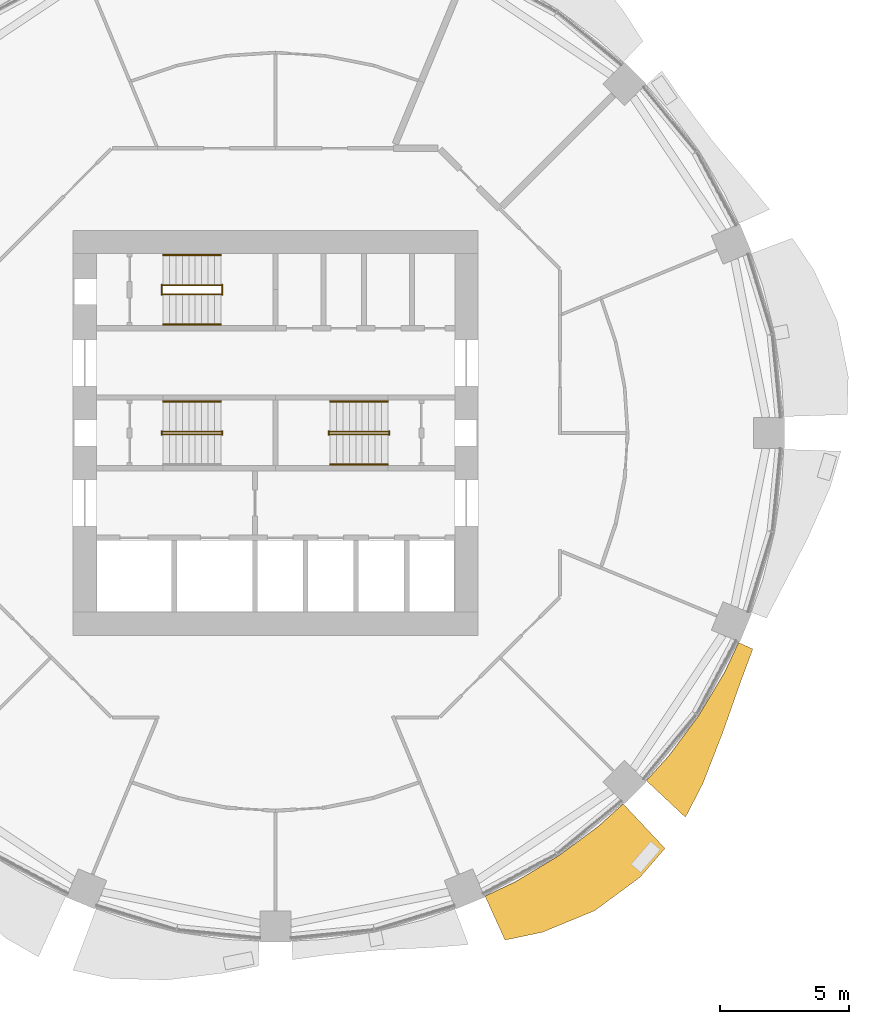
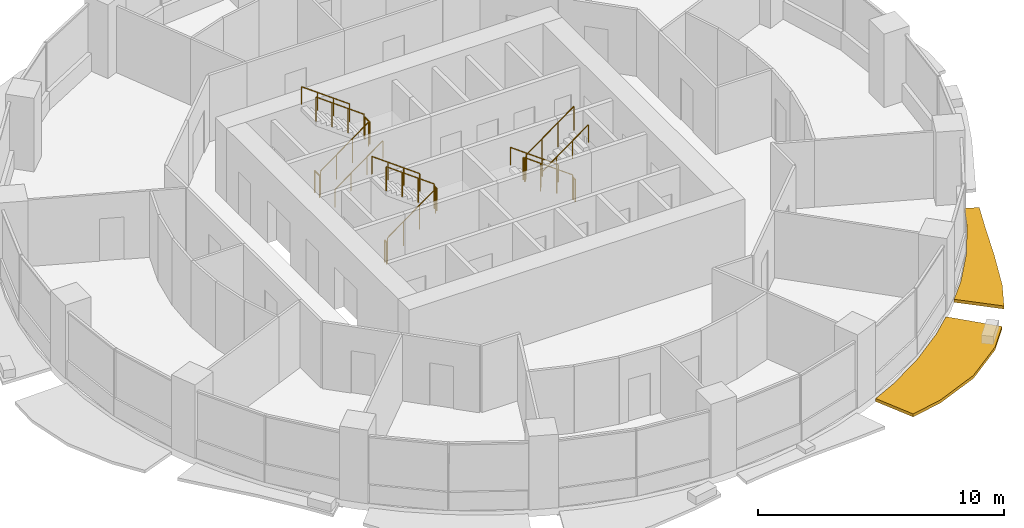
# One storey, part 13 of 15: 17 railings, 2 shading devices.
"""IFC4 building model written with IfcOpenShell, lengths in metres."""

from ifc_helpers import new_model, si_unit, direction, frame, origin, origin_2d, place, context, subcontext, project, spatial, polyline, circle, outline, extrude, material, type_object, element, save


model = new_model("IFC4")

# Units and contexts
model_context = context("Model", 3, precision=1e-05, world=origin(), true_north=direction((0.0, 1.0)))
body_context = subcontext(model_context, "Body", "Model", "MODEL_VIEW")
ifc_project = project(units=[si_unit("LENGTHUNIT", "METRE"), si_unit("AREAUNIT", "SQUARE_METRE"), si_unit("VOLUMEUNIT", "CUBIC_METRE"), si_unit("PLANEANGLEUNIT", "RADIAN"), si_unit("MASSUNIT", "GRAM", prefix="KILO")], contexts=[model_context])

# Site, building, storey
site_placement = place(None, origin())
site = spatial("IfcSite", under=ifc_project, at=site_placement, CompositionType="ELEMENT")
building_placement = place(site_placement, origin())
building = spatial("IfcBuilding", under=site, at=building_placement, Name="Polderwave Tower", CompositionType="ELEMENT")
storey_placement = place(building_placement, frame((0.0, 0.0, 33.5)))
storey = spatial("IfcBuildingStorey", under=building, at=storey_placement, Name="L08", CompositionType="ELEMENT", Elevation=33.5)

# Railings
ifc_material_1 = material(Name="Stainless steel", Category="steel")
railing_type_1 = type_object("IfcRailingType", Name="Stair guard 1100", PredefinedType="GUARDRAIL", material=ifc_material_1)
railing_1_placement = place(storey_placement, frame((-4.3740234375, -0.051025390625, 0.0625)))
element("IfcRailing", 1, at=railing_1_placement, inside=storey, type_object=railing_type_1, Name="L08 ST-A stair guard 1", PredefinedType="GUARDRAIL", context=body_context, shape_type="SweptSolid", body=[
    extrude(circle(Radius=0.02392578125, at=origin_2d()), frame((0.0, 0.0, 1.1962890625), z_axis=(0.807715371301, 0.0, 0.589572623995), x_axis=(0.0, 1.0, 0.0)), (0.0, 0.0, 1.0), 2.78564453125),
    extrude(circle(Radius=0.02392578125, at=origin_2d()), origin(), (0.0, 0.0, 1.0), 1.172119140625),
    extrude(circle(Radius=0.02392578125, at=origin_2d()), frame((0.75, 0.0, 0.54736328125)), (0.0, 0.0, 1.0), 1.172119140625),
    extrude(circle(Radius=0.02392578125, at=origin_2d()), frame((1.5, 0.0, 1.094970703125)), (0.0, 0.0, 1.0), 1.172119140625),
    extrude(circle(Radius=0.02392578125, at=origin_2d()), frame((2.25, 0.0, 1.642333984375)), (0.0, 0.0, 1.0), 1.172119140625),
])
railing_2_placement = place(storey_placement, frame((-2.073974609375, -0.074951171875, 1.824951171875)))
element("IfcRailing", 2, at=railing_2_placement, inside=storey, type_object=railing_type_1, Name="L08 ST-A stair guard 2", PredefinedType="GUARDRAIL", context=body_context, shape_type="SweptSolid", body=[
    extrude(circle(Radius=0.02392578125, at=origin_2d()), frame((0.0, 0.0, 1.076171875), z_axis=(0.0, 1.0, 0.0), x_axis=(-1.0, 0.0, 0.0)), (0.0, 0.0, 1.0), 0.14990234375),
    extrude(circle(Radius=0.02099609375, at=origin_2d()), origin(), (0.0, 0.0, 1.0), 1.052001953125),
    extrude(circle(Radius=0.02099609375, at=origin_2d()), frame((0.0, 0.14990234375, 0.0)), (0.0, 0.0, 1.0), 1.052001953125),
])
railing_3_placement = place(storey_placement, frame((-2.1240234375, 0.051025390625, 1.887451171875)))
element("IfcRailing", 3, at=railing_3_placement, inside=storey, type_object=railing_type_1, Name="L08 ST-A stair guard 3", PredefinedType="GUARDRAIL", context=body_context, shape_type="SweptSolid", body=[
    extrude(circle(Radius=0.02392578125, at=origin_2d()), frame((0.0, 0.0, 1.1962890625), z_axis=(-0.807715371301, 0.0, 0.589572623995), x_axis=(0.0, -1.0, 0.0)), (0.0, 0.0, 1.0), 2.78564453125),
    extrude(circle(Radius=0.02392578125, at=origin_2d()), origin(), (0.0, 0.0, 1.0), 1.172119140625),
    extrude(circle(Radius=0.02392578125, at=origin_2d()), frame((-0.75, 0.0, 0.54736328125)), (0.0, 0.0, 1.0), 1.172119140625),
    extrude(circle(Radius=0.02392578125, at=origin_2d()), frame((-1.5, 0.0, 1.094970703125)), (0.0, 0.0, 1.0), 1.172119140625),
    extrude(circle(Radius=0.02392578125, at=origin_2d()), frame((-2.25, 0.0, 1.642333984375)), (0.0, 0.0, 1.0), 1.172119140625),
])
railing_4_placement = place(storey_placement, frame((-4.424072265625, -0.074951171875, 0.0)))
element("IfcRailing", 4, at=railing_4_placement, inside=storey, type_object=railing_type_1, Name="L08 ST-A stair guard 4", PredefinedType="GUARDRAIL", context=body_context, shape_type="SweptSolid", body=[
    extrude(circle(Radius=0.02392578125, at=origin_2d()), frame((0.0, 0.0, 1.076171875), z_axis=(0.0, 1.0, 0.0), x_axis=(-1.0, 0.0, 0.0)), (0.0, 0.0, 1.0), 0.14990234375),
    extrude(circle(Radius=0.02099609375, at=origin_2d()), origin(), (0.0, 0.0, 1.0), 1.052001953125),
    extrude(circle(Radius=0.02099609375, at=origin_2d()), frame((0.0, 0.14990234375, 0.0)), (0.0, 0.0, 1.0), 1.052001953125),
])
railing_5_placement = place(storey_placement, frame((4.3740234375, 0.051025390625, 0.0625)))
element("IfcRailing", 5, at=railing_5_placement, inside=storey, type_object=railing_type_1, Name="L08 ST-B stair guard 1", PredefinedType="GUARDRAIL", context=body_context, shape_type="SweptSolid", body=[
    extrude(circle(Radius=0.02392578125, at=origin_2d()), frame((0.0, 0.0, 1.1962890625), z_axis=(-0.807715371301, 0.0, 0.589572623995), x_axis=(0.0, -1.0, 0.0)), (0.0, 0.0, 1.0), 2.78564453125),
    extrude(circle(Radius=0.02392578125, at=origin_2d()), origin(), (0.0, 0.0, 1.0), 1.172119140625),
    extrude(circle(Radius=0.02392578125, at=origin_2d()), frame((-0.75, 0.0, 0.54736328125)), (0.0, 0.0, 1.0), 1.172119140625),
    extrude(circle(Radius=0.02392578125, at=origin_2d()), frame((-1.5, 0.0, 1.094970703125)), (0.0, 0.0, 1.0), 1.172119140625),
    extrude(circle(Radius=0.02392578125, at=origin_2d()), frame((-2.25, 0.0, 1.642333984375)), (0.0, 0.0, 1.0), 1.172119140625),
])
railing_6_placement = place(storey_placement, frame((2.073974609375, 0.074951171875, 1.824951171875)))
element("IfcRailing", 6, at=railing_6_placement, inside=storey, type_object=railing_type_1, Name="L08 ST-B stair guard 2", PredefinedType="GUARDRAIL", context=body_context, shape_type="SweptSolid", body=[
    extrude(circle(Radius=0.02392578125, at=origin_2d()), frame((0.0, 0.0, 1.076171875), z_axis=(0.0, -1.0, 0.0), x_axis=(1.0, 0.0, 0.0)), (0.0, 0.0, 1.0), 0.14990234375),
    extrude(circle(Radius=0.02099609375, at=origin_2d()), origin(), (0.0, 0.0, 1.0), 1.052001953125),
    extrude(circle(Radius=0.02099609375, at=origin_2d()), frame((0.0, -0.14990234375, 0.0)), (0.0, 0.0, 1.0), 1.052001953125),
])
railing_7_placement = place(storey_placement, frame((2.1240234375, -0.051025390625, 1.887451171875)))
element("IfcRailing", 7, at=railing_7_placement, inside=storey, type_object=railing_type_1, Name="L08 ST-B stair guard 3", PredefinedType="GUARDRAIL", context=body_context, shape_type="SweptSolid", body=[
    extrude(circle(Radius=0.02392578125, at=origin_2d()), frame((0.0, 0.0, 1.1962890625), z_axis=(0.807715371301, 0.0, 0.589572623995), x_axis=(0.0, 1.0, 0.0)), (0.0, 0.0, 1.0), 2.78564453125),
    extrude(circle(Radius=0.02392578125, at=origin_2d()), origin(), (0.0, 0.0, 1.0), 1.172119140625),
    extrude(circle(Radius=0.02392578125, at=origin_2d()), frame((0.75, 0.0, 0.54736328125)), (0.0, 0.0, 1.0), 1.172119140625),
    extrude(circle(Radius=0.02392578125, at=origin_2d()), frame((1.5, 0.0, 1.094970703125)), (0.0, 0.0, 1.0), 1.172119140625),
    extrude(circle(Radius=0.02392578125, at=origin_2d()), frame((2.25, 0.0, 1.642333984375)), (0.0, 0.0, 1.0), 1.172119140625),
])
railing_8_placement = place(storey_placement, frame((4.424072265625, 0.074951171875, 0.0)))
element("IfcRailing", 8, at=railing_8_placement, inside=storey, type_object=railing_type_1, Name="L08 ST-B stair guard 4", PredefinedType="GUARDRAIL", context=body_context, shape_type="SweptSolid", body=[
    extrude(circle(Radius=0.02392578125, at=origin_2d()), frame((0.0, 0.0, 1.076171875), z_axis=(0.0, -1.0, 0.0), x_axis=(1.0, 0.0, 0.0)), (0.0, 0.0, 1.0), 0.14990234375),
    extrude(circle(Radius=0.02099609375, at=origin_2d()), origin(), (0.0, 0.0, 1.0), 1.052001953125),
    extrude(circle(Radius=0.02099609375, at=origin_2d()), frame((0.0, -0.14990234375, 0.0)), (0.0, 0.0, 1.0), 1.052001953125),
])
railing_9_placement = place(storey_placement, frame((-4.3740234375, 5.39794921875, 0.0625)))
element("IfcRailing", 9, at=railing_9_placement, inside=storey, type_object=railing_type_1, Name="L08 ST-C stair guard 1", PredefinedType="GUARDRAIL", context=body_context, shape_type="SweptSolid", body=[
    extrude(circle(Radius=0.02392578125, at=origin_2d()), frame((0.0, 0.0, 1.1962890625), z_axis=(0.807715371301, 0.0, 0.589572623995), x_axis=(0.0, 1.0, 0.0)), (0.0, 0.0, 1.0), 2.78564453125),
    extrude(circle(Radius=0.02392578125, at=origin_2d()), origin(), (0.0, 0.0, 1.0), 1.172119140625),
    extrude(circle(Radius=0.02392578125, at=origin_2d()), frame((0.75, 0.0, 0.54736328125)), (0.0, 0.0, 1.0), 1.172119140625),
    extrude(circle(Radius=0.02392578125, at=origin_2d()), frame((1.5, 0.0, 1.094970703125)), (0.0, 0.0, 1.0), 1.172119140625),
    extrude(circle(Radius=0.02392578125, at=origin_2d()), frame((2.25, 0.0, 1.642333984375)), (0.0, 0.0, 1.0), 1.172119140625),
])
railing_10_placement = place(storey_placement, frame((-2.073974609375, 5.3740234375, 1.824951171875)))
element("IfcRailing", 10, at=railing_10_placement, inside=storey, type_object=railing_type_1, Name="L08 ST-C stair guard 2", PredefinedType="GUARDRAIL", context=body_context, shape_type="SweptSolid", body=[
    extrude(circle(Radius=0.02392578125, at=origin_2d()), frame((0.0, 0.0, 1.076171875), z_axis=(0.0, 1.0, 0.0), x_axis=(-1.0, 0.0, 0.0)), (0.0, 0.0, 1.0), 0.39990234375),
    extrude(circle(Radius=0.02099609375, at=origin_2d()), origin(), (0.0, 0.0, 1.0), 1.052001953125),
    extrude(circle(Radius=0.02099609375, at=origin_2d()), frame((0.0, 0.39990234375, 0.0)), (0.0, 0.0, 1.0), 1.052001953125),
])
railing_11_placement = place(storey_placement, frame((-2.1240234375, 5.75, 1.887451171875)))
element("IfcRailing", 11, at=railing_11_placement, inside=storey, type_object=railing_type_1, Name="L08 ST-C stair guard 3", PredefinedType="GUARDRAIL", context=body_context, shape_type="SweptSolid", body=[
    extrude(circle(Radius=0.02392578125, at=origin_2d()), frame((0.0, 0.0, 1.1962890625), z_axis=(-0.807715371301, 0.0, 0.589572623995), x_axis=(0.0, -1.0, 0.0)), (0.0, 0.0, 1.0), 2.78564453125),
    extrude(circle(Radius=0.02392578125, at=origin_2d()), origin(), (0.0, 0.0, 1.0), 1.172119140625),
    extrude(circle(Radius=0.02392578125, at=origin_2d()), frame((-0.75, 0.0, 0.54736328125)), (0.0, 0.0, 1.0), 1.172119140625),
    extrude(circle(Radius=0.02392578125, at=origin_2d()), frame((-1.5, 0.0, 1.094970703125)), (0.0, 0.0, 1.0), 1.172119140625),
    extrude(circle(Radius=0.02392578125, at=origin_2d()), frame((-2.25, 0.0, 1.642333984375)), (0.0, 0.0, 1.0), 1.172119140625),
])
railing_12_placement = place(storey_placement, frame((-4.424072265625, 5.3740234375, 0.0)))
element("IfcRailing", 12, at=railing_12_placement, inside=storey, type_object=railing_type_1, Name="L08 ST-C stair guard 4", PredefinedType="GUARDRAIL", context=body_context, shape_type="SweptSolid", body=[
    extrude(circle(Radius=0.02392578125, at=origin_2d()), frame((0.0, 0.0, 1.076171875), z_axis=(0.0, 1.0, 0.0), x_axis=(-1.0, 0.0, 0.0)), (0.0, 0.0, 1.0), 0.39990234375),
    extrude(circle(Radius=0.02099609375, at=origin_2d()), origin(), (0.0, 0.0, 1.0), 1.052001953125),
    extrude(circle(Radius=0.02099609375, at=origin_2d()), frame((0.0, 0.39990234375, 0.0)), (0.0, 0.0, 1.0), 1.052001953125),
])
railing_type_2 = type_object("IfcRailingType", Name="Stair handrail 900", PredefinedType="HANDRAIL", material=ifc_material_1)
for number, where, name in (
    (13, (-2.1240234375, 1.22509765625, 2.007568359375), "L08 ST-A stair handrail 2"),
    (14, (4.3740234375, 1.22509765625, 0.1826171875), "L08 ST-B stair handrail 1"),
):
    element("IfcRailing", number, at=place(storey_placement, frame(where)), inside=storey, type_object=railing_type_2, Name=name, PredefinedType="HANDRAIL", context=body_context, shape_type="SweptSolid", body=[
        extrude(circle(Radius=0.02392578125, at=origin_2d()), frame((0.0, 0.0, 0.8759765625), z_axis=(-0.807715371301, 0.0, 0.589572623995), x_axis=(0.0, -1.0, 0.0)), (0.0, 0.0, 1.0), 2.78564453125),
        extrude(circle(Radius=0.02099609375, at=origin_2d()), origin(), (0.0, 0.0, 1.0), 0.851806640625),
        extrude(circle(Radius=0.02099609375, at=origin_2d()), frame((-0.75, 0.0, 0.54736328125)), (0.0, 0.0, 1.0), 0.851806640625),
        extrude(circle(Radius=0.02099609375, at=origin_2d()), frame((-1.5, 0.0, 1.094970703125)), (0.0, 0.0, 1.0), 0.851806640625),
        extrude(circle(Radius=0.02099609375, at=origin_2d()), frame((-2.25, 0.0, 1.642333984375)), (0.0, 0.0, 1.0), 0.851806640625),
    ])
for number, where, name in (
    (15, (2.1240234375, -1.22509765625, 2.007568359375), "L08 ST-B stair handrail 2"),
    (16, (-4.3740234375, 4.22412109375, 0.1826171875), "L08 ST-C stair handrail 1"),
):
    element("IfcRailing", number, at=place(storey_placement, frame(where)), inside=storey, type_object=railing_type_2, Name=name, PredefinedType="HANDRAIL", context=body_context, shape_type="SweptSolid", body=[
        extrude(circle(Radius=0.02392578125, at=origin_2d()), frame((0.0, 0.0, 0.8759765625), z_axis=(0.807715371301, 0.0, 0.589572623995), x_axis=(0.0, 1.0, 0.0)), (0.0, 0.0, 1.0), 2.78564453125),
        extrude(circle(Radius=0.02099609375, at=origin_2d()), origin(), (0.0, 0.0, 1.0), 0.851806640625),
        extrude(circle(Radius=0.02099609375, at=origin_2d()), frame((0.75, 0.0, 0.54736328125)), (0.0, 0.0, 1.0), 0.851806640625),
        extrude(circle(Radius=0.02099609375, at=origin_2d()), frame((1.5, 0.0, 1.094970703125)), (0.0, 0.0, 1.0), 0.851806640625),
        extrude(circle(Radius=0.02099609375, at=origin_2d()), frame((2.25, 0.0, 1.642333984375)), (0.0, 0.0, 1.0), 0.851806640625),
    ])
railing_13_placement = place(storey_placement, frame((-2.1240234375, 6.924072265625, 2.007568359375)))
element("IfcRailing", 17, at=railing_13_placement, inside=storey, type_object=railing_type_2, Name="L08 ST-C stair handrail 2", PredefinedType="HANDRAIL", context=body_context, shape_type="SweptSolid", body=[
    extrude(circle(Radius=0.02392578125, at=origin_2d()), frame((0.0, 0.0, 0.8759765625), z_axis=(-0.807715371301, 0.0, 0.589572623995), x_axis=(0.0, -1.0, 0.0)), (0.0, 0.0, 1.0), 2.78564453125),
    extrude(circle(Radius=0.02099609375, at=origin_2d()), origin(), (0.0, 0.0, 1.0), 0.851806640625),
    extrude(circle(Radius=0.02099609375, at=origin_2d()), frame((-0.75, 0.0, 0.54736328125)), (0.0, 0.0, 1.0), 0.851806640625),
    extrude(circle(Radius=0.02099609375, at=origin_2d()), frame((-1.5, 0.0, 1.094970703125)), (0.0, 0.0, 1.0), 0.851806640625),
    extrude(circle(Radius=0.02099609375, at=origin_2d()), frame((-2.25, 0.0, 1.642333984375)), (0.0, 0.0, 1.0), 0.851806640625),
])

# Shading devices
ifc_material_2 = material(Name="Terracotta", Category="masonry")
shading_device_type = type_object("IfcShadingDeviceType", Name="Terracotta sunshade band", PredefinedType="USERDEFINED", material=ifc_material_2)
shading_device_1_placement = place(storey_placement, frame((0.0, 0.0, -0.35009765625)))
element("IfcShadingDevice", 18, at=shading_device_1_placement, inside=storey, type_object=shading_device_type, Name="Sunshade band L08 14", ObjectType="SUNSHADE", PredefinedType="USERDEFINED", context=body_context, shape_type="SweptSolid", body=[
    extrude(outline(polyline([(8.154296875, -18.019775390625), (9.333740234375, -17.4619140625), (11.000244140625, -16.463134765625), (12.56103515625, -15.3056640625), (13.527587890625, -14.429443359375), (15.15380859375, -16.163818359375), (14.184814453125, -17.2841796875), (12.419189453125, -18.586669921875), (10.38330078125, -19.42578125), (8.9287109375, -19.730712890625), (8.154296875, -18.019775390625)])), origin(), (0.0, 0.0, 1.0), 0.150146484375),
])
shading_device_2_placement = place(storey_placement, frame((0.0, 0.0, -0.35009765625)))
element("IfcShadingDevice", 19, at=shading_device_2_placement, inside=storey, type_object=shading_device_type, Name="Sunshade band L08 15", ObjectType="SUNSHADE", PredefinedType="USERDEFINED", context=body_context, shape_type="SweptSolid", body=[
    extrude(outline(polyline([(14.429443359375, -13.527587890625), (15.3056640625, -12.56103515625), (16.463134765625, -11.000244140625), (17.4619140625, -9.333740234375), (18.019775390625, -8.154296875), (18.571533203125, -8.40380859375), (18.099609375, -9.67431640625), (17.40869140625, -11.632080078125), (16.625732421875, -13.64453125), (15.94873046875, -14.951904296875), (14.429443359375, -13.527587890625)])), origin(), (0.0, 0.0, 1.0), 0.150146484375),
])

save(model, "model.ifc")
